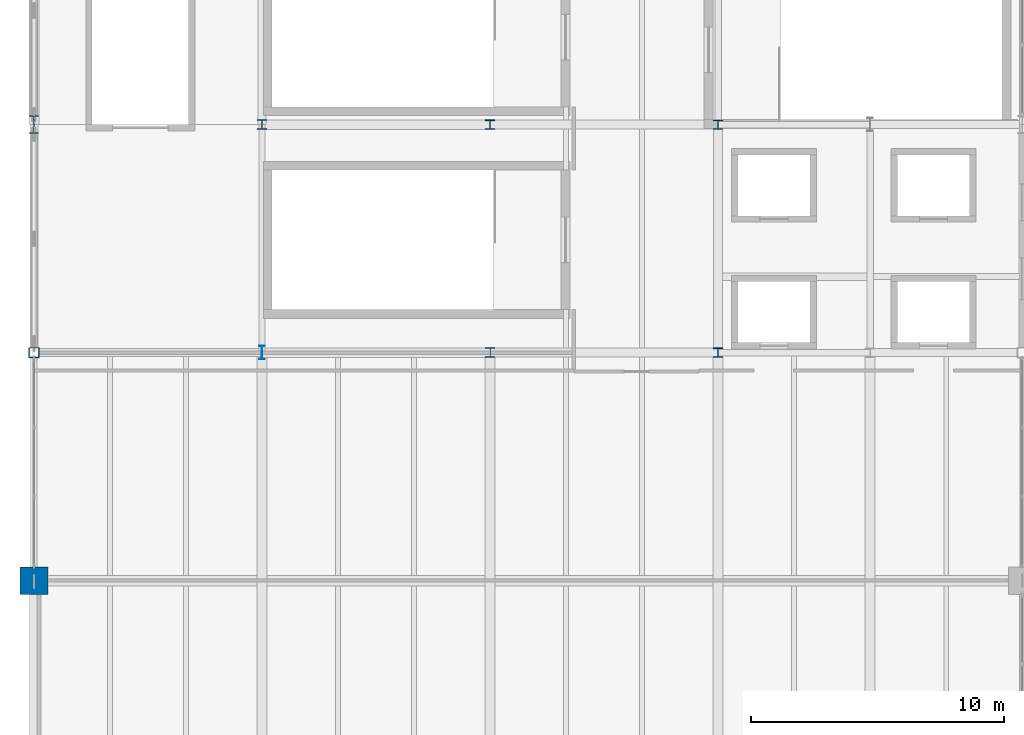
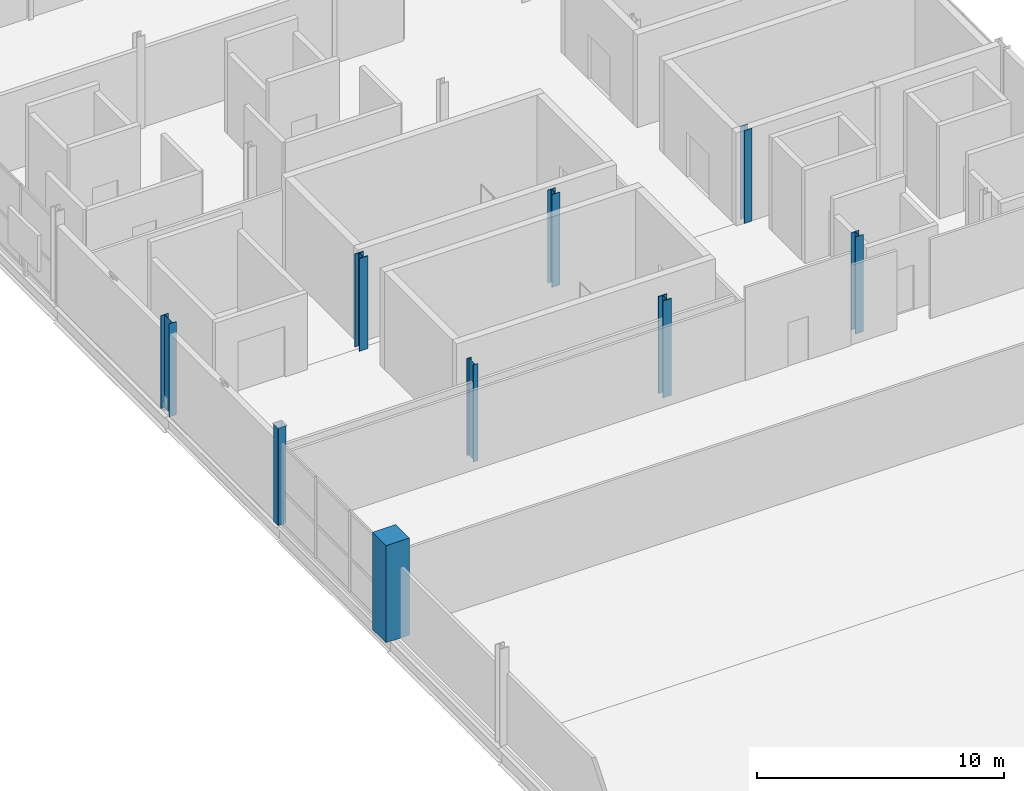
# One storey, part 3 of 29: 9 columns.
"""IFC4 building model written with IfcOpenShell, lengths in metres."""

from ifc_helpers import new_model, si_unit, direction, frame, origin, origin_2d, place, context, subcontext, project, spatial, rectangle, hollow_rectangle, i_section, extrude, material, material_profile, profile_set, type_object, element, save


model = new_model("IFC4")

# Units and contexts
model_context = context("Model", 3, precision=1e-05, world=origin(), true_north=direction((0.0, 1.0)))
body_context = subcontext(model_context, "Body", "Model", "MODEL_VIEW")
ifc_project = project(units=[si_unit("LENGTHUNIT", "METRE"), si_unit("AREAUNIT", "SQUARE_METRE"), si_unit("VOLUMEUNIT", "CUBIC_METRE"), si_unit("PLANEANGLEUNIT", "RADIAN"), si_unit("MASSUNIT", "GRAM", prefix="KILO")], contexts=[model_context])

# Site, building, storey
site_placement = place(None, origin())
site = spatial("IfcSite", under=ifc_project, at=site_placement, CompositionType="ELEMENT")
building_placement = place(site_placement, origin())
building = spatial("IfcBuilding", under=site, at=building_placement, Name="Qamarlyn Nura Convention Centre", CompositionType="ELEMENT")
storey_placement = place(building_placement, frame((0.0, 0.0, 25.199951171875)))
storey = spatial("IfcBuildingStorey", under=building, at=storey_placement, Name="L05", CompositionType="ELEMENT", Elevation=25.199951171875)

# Columns
ifc_material_1 = material(Name="Steel ASTM A500 Grade C", Category="steel")
ifc_material_profile_1 = material_profile(ifc_material_1, hollow_rectangle(XDim=0.39990234375, YDim=0.39990234375, WallThickness=0.01611328125, InnerFilletRadius=0.01611328125, OuterFilletRadius=0.031982421875, at=origin_2d()), Name="HSS400X400X16")
ifc_profile_set_1 = profile_set([ifc_material_profile_1], Name="Steel ASTM A500 Grade C")
column_type_1 = type_object("IfcColumnType", Name="COL-HSS-1", PredefinedType="COLUMN", material=ifc_profile_set_1)
column_1_placement = place(storey_placement, frame((153.0, 54.0, 0.0), z_axis=(0.0, 0.0, 1.0), x_axis=(1.0, 0.0, 0.0)))
element("IfcColumn", 1, at=column_1_placement, inside=storey, type_object=column_type_1, Name="L05 column 13/G", PredefinedType="COLUMN", context=body_context, shape_type="SweptSolid", body=[
    extrude(hollow_rectangle(XDim=0.39990234375, YDim=0.39990234375, WallThickness=0.01611328125, InnerFilletRadius=0.01611328125, OuterFilletRadius=0.031982421875, at=origin_2d()), origin(), (0.0, 0.0, 1.0), 4.800048828125),
])
ifc_material_2 = material(Name="Concrete C50/60", Category="concrete")
ifc_material_profile_2 = material_profile(ifc_material_2, rectangle(XDim=1.10009765625, YDim=1.10009765625, at=origin_2d()), Name="RC 1100x1100")
ifc_profile_set_2 = profile_set([ifc_material_profile_2], Name="Concrete C50/60")
column_type_2 = type_object("IfcColumnType", Name="COL-MEGA-2", PredefinedType="COLUMN", material=ifc_profile_set_2)
column_2_placement = place(storey_placement, frame((153.0, 45.0, 0.0), z_axis=(0.0, 0.0, 1.0), x_axis=(1.0, 0.0, 0.0)))
element("IfcColumn", 2, at=column_2_placement, inside=storey, type_object=column_type_2, Name="L05 column 13/F", PredefinedType="COLUMN", context=body_context, shape_type="SweptSolid", body=[
    extrude(rectangle(XDim=1.10009765625, YDim=1.10009765625, at=origin_2d()), origin(), (0.0, 0.0, 1.0), 4.800048828125),
])
ifc_material_3 = material(Name="Steel ASTM A992", Category="steel")
ifc_material_profile_3 = material_profile(ifc_material_3, i_section(OverallWidth=0.39892578125, OverallDepth=0.39306640625, WebThickness=0.022705078125, FlangeThickness=0.03662109375, FilletRadius=0.01806640625, at=origin_2d()), Name="W360X287")
ifc_profile_set_3 = profile_set([ifc_material_profile_3], Name="Steel ASTM A992")
column_type_3 = type_object("IfcColumnType", Name="COL-WING-1", PredefinedType="COLUMN", material=ifc_profile_set_3)
column_3_placement = place(storey_placement, frame((162.0, 63.0, 0.0), z_axis=(0.0, 0.0, 1.0), x_axis=(1.0, 0.0, 0.0)))
element("IfcColumn", 3, at=column_3_placement, inside=storey, type_object=column_type_3, Name="L05 column 14/H", PredefinedType="COLUMN", context=body_context, shape_type="SweptSolid", body=[
    extrude(i_section(OverallWidth=0.39892578125, OverallDepth=0.39306640625, WebThickness=0.022705078125, FlangeThickness=0.03662109375, FilletRadius=0.01806640625, at=origin_2d()), origin(), (0.0, 0.0, 1.0), 4.594970703125),
])
column_4_placement = place(storey_placement, frame((171.0, 54.0, 0.0), z_axis=(0.0, 0.0, 1.0), x_axis=(1.0, 0.0, 0.0)))
element("IfcColumn", 4, at=column_4_placement, inside=storey, type_object=column_type_3, Name="L05 column 15/G", PredefinedType="COLUMN", context=body_context, shape_type="SweptSolid", body=[
    extrude(i_section(OverallWidth=0.39892578125, OverallDepth=0.39306640625, WebThickness=0.022705078125, FlangeThickness=0.03662109375, FilletRadius=0.01806640625, at=origin_2d()), origin(), (0.0, 0.0, 1.0), 4.800048828125),
])
ifc_material_profile_4 = material_profile(ifc_material_3, i_section(OverallWidth=0.3740234375, OverallDepth=0.3720703125, WebThickness=0.016357421875, FlangeThickness=0.026123046875, FilletRadius=0.01611328125, at=origin_2d()), Name="W360X196")
ifc_profile_set_4 = profile_set([ifc_material_profile_4], Name="Steel ASTM A992")
column_type_4 = type_object("IfcColumnType", Name="COL-WING-2", PredefinedType="COLUMN", material=ifc_profile_set_4)
column_5_placement = place(storey_placement, frame((171.0, 63.0, 0.0), z_axis=(0.0, 0.0, 1.0), x_axis=(1.0, 0.0, 0.0)))
element("IfcColumn", 5, at=column_5_placement, inside=storey, type_object=column_type_4, Name="L05 column 15/H", PredefinedType="COLUMN", context=body_context, shape_type="SweptSolid", body=[
    extrude(i_section(OverallWidth=0.3740234375, OverallDepth=0.3720703125, WebThickness=0.016357421875, FlangeThickness=0.026123046875, FilletRadius=0.01611328125, at=origin_2d()), origin(), (0.0, 0.0, 1.0), 4.594970703125),
])
column_6_placement = place(storey_placement, frame((180.0, 54.0, 0.0), z_axis=(0.0, 0.0, 1.0), x_axis=(1.0, 0.0, 0.0)))
element("IfcColumn", 6, at=column_6_placement, inside=storey, type_object=column_type_4, Name="L05 column 16/G", PredefinedType="COLUMN", context=body_context, shape_type="SweptSolid", body=[
    extrude(i_section(OverallWidth=0.3740234375, OverallDepth=0.3720703125, WebThickness=0.016357421875, FlangeThickness=0.026123046875, FilletRadius=0.01611328125, at=origin_2d()), origin(), (0.0, 0.0, 1.0), 4.800048828125),
])
ifc_material_profile_5 = material_profile(ifc_material_3, i_section(OverallWidth=0.368896484375, OverallDepth=0.35595703125, WebThickness=0.01123046875, FlangeThickness=0.01806640625, FilletRadius=0.014892578125, at=origin_2d()), Name="W360X134")
ifc_profile_set_5 = profile_set([ifc_material_profile_5], Name="Steel ASTM A992")
column_type_5 = type_object("IfcColumnType", Name="COL-WING-3", PredefinedType="COLUMN", material=ifc_profile_set_5)
column_7_placement = place(storey_placement, frame((180.0, 63.0, 0.0), z_axis=(0.0, 0.0, 1.0), x_axis=(1.0, 0.0, 0.0)))
element("IfcColumn", 7, at=column_7_placement, inside=storey, type_object=column_type_5, Name="L05 column 16/H", PredefinedType="COLUMN", context=body_context, shape_type="SweptSolid", body=[
    extrude(i_section(OverallWidth=0.368896484375, OverallDepth=0.35595703125, WebThickness=0.01123046875, FlangeThickness=0.01806640625, FilletRadius=0.014892578125, at=origin_2d()), origin(), (0.0, 0.0, 1.0), 4.594970703125),
])
ifc_material_profile_6 = material_profile(ifc_material_3, i_section(OverallWidth=0.35498046875, OverallDepth=0.695068359375, WebThickness=0.015380859375, FlangeThickness=0.02490234375, FilletRadius=0.01806640625, at=origin_2d()), Name="W690X217")
ifc_profile_set_6 = profile_set([ifc_material_profile_6], Name="Steel ASTM A992")
column_type_6 = type_object("IfcColumnType", Name="COL-WING-5", PredefinedType="COLUMN", material=ifc_profile_set_6)
column_8_placement = place(storey_placement, frame((153.0, 63.0, 0.0), z_axis=(0.0, 0.0, 1.0), x_axis=(1.0, 0.0, 0.0)))
element("IfcColumn", 8, at=column_8_placement, inside=storey, type_object=column_type_6, Name="L05 column 13/H", PredefinedType="COLUMN", context=body_context, shape_type="SweptSolid", body=[
    extrude(i_section(OverallWidth=0.35498046875, OverallDepth=0.695068359375, WebThickness=0.015380859375, FlangeThickness=0.02490234375, FilletRadius=0.01806640625, at=origin_2d()), origin(), (0.0, 0.0, 1.0), 4.594970703125),
])
ifc_material_profile_7 = material_profile(ifc_material_3, i_section(OverallWidth=0.2109375, OverallDepth=0.5390625, WebThickness=0.01171875, FlangeThickness=0.018798828125, FilletRadius=0.013916015625, at=origin_2d()), Name="W530X109")
ifc_profile_set_7 = profile_set([ifc_material_profile_7], Name="Steel ASTM A992")
column_type_7 = type_object("IfcColumnType", Name="COL-WING-7", PredefinedType="COLUMN", material=ifc_profile_set_7)
column_9_placement = place(storey_placement, frame((162.0, 54.0, 0.0), z_axis=(0.0, 0.0, 1.0), x_axis=(1.0, 0.0, 0.0)))
element("IfcColumn", 9, at=column_9_placement, inside=storey, type_object=column_type_7, Name="L05 column 14/G", PredefinedType="COLUMN", context=body_context, shape_type="SweptSolid", body=[
    extrude(i_section(OverallWidth=0.2109375, OverallDepth=0.5390625, WebThickness=0.01171875, FlangeThickness=0.018798828125, FilletRadius=0.013916015625, at=origin_2d()), origin(), (0.0, 0.0, 1.0), 4.800048828125),
])

save(model, "model.ifc")
